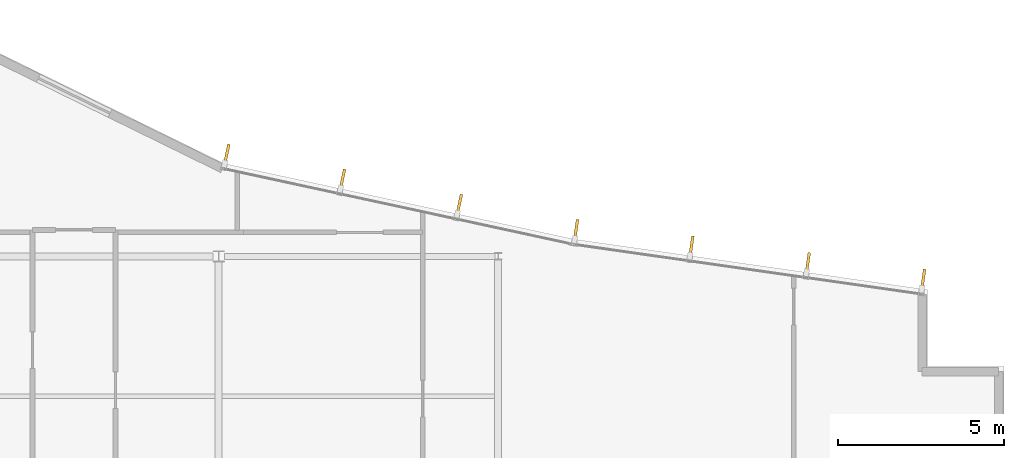
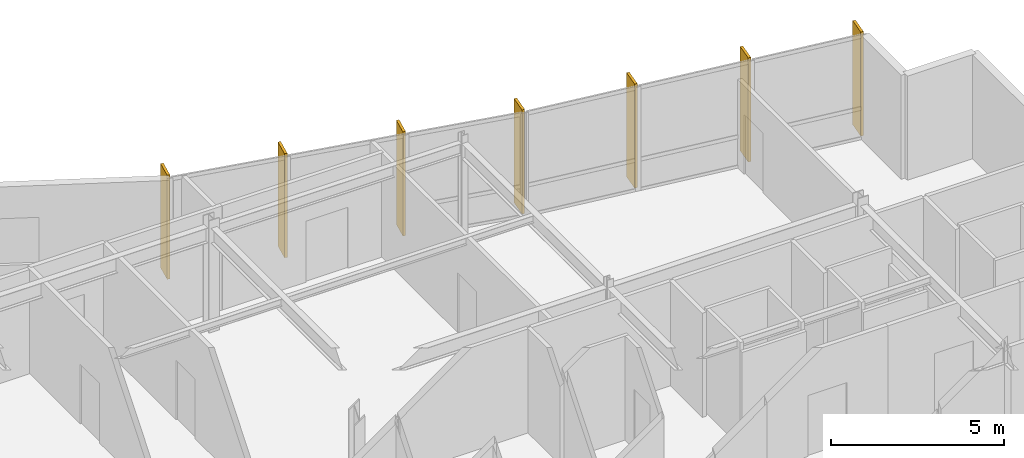
# One storey, part 14 of 15: 7 shading devices.
"""IFC4 building model written with IfcOpenShell, lengths in metres."""

from ifc_helpers import new_model, si_unit, direction, frame, origin, origin_2d, place, context, subcontext, project, spatial, rectangle, extrude, material, layer, layer_set, type_object, element, save


model = new_model("IFC4")

# Units and contexts
model_context = context("Model", 3, precision=1e-05, world=origin(), true_north=direction((0.0, 1.0)))
body_context = subcontext(model_context, "Body", "Model", "MODEL_VIEW")
ifc_project = project(units=[si_unit("LENGTHUNIT", "METRE"), si_unit("AREAUNIT", "SQUARE_METRE"), si_unit("VOLUMEUNIT", "CUBIC_METRE"), si_unit("PLANEANGLEUNIT", "RADIAN"), si_unit("MASSUNIT", "GRAM", prefix="KILO")], contexts=[model_context])

# Site, building, storey
site_placement = place(None, origin())
site = spatial("IfcSite", under=ifc_project, at=site_placement, CompositionType="ELEMENT")
building_placement = place(site_placement, origin())
building = spatial("IfcBuilding", under=site, at=building_placement, Name="Varnakote Quay Hospital", CompositionType="ELEMENT")
storey_placement = place(building_placement, frame((0.0, 0.0, 300.0)))
storey = spatial("IfcBuildingStorey", under=building, at=storey_placement, Name="L74", CompositionType="ELEMENT", Elevation=300.0)

# Shading devices
ifc_material = material(Name="Anodised aluminium 6063-T6 Bronze", Category="aluminium")
ifc_layer = layer(ifc_material, 0.0849609375)
ifc_layer_set = layer_set([ifc_layer], Name="Anodised aluminium 6063-T6 Bronze")
shading_device_type = type_object("IfcShadingDeviceType", Name="SHD-BRONZE-FIN-620", PredefinedType="USERDEFINED", material=ifc_layer_set)
for number, where, z_axis, x_axis, name in (
    (1, (37.971435546875, 28.111328125, 0.0), (0.0, 0.0, 1.0), (-0.141592364445, -0.989925048845, 0.0), "L74 Anodised Bronze Vertical Shading FIN"),
    (2, (34.5048828125, 28.607177734375, 0.0), (0.0, 0.0, 1.0), (-0.141592364445, -0.989925048845, 0.0), "L74 Anodised Bronze Vertical Shading FIN"),
    (3, (31.006103515625, 29.107421875, 0.0), (0.0, 0.0, 1.0), (-0.141592364445, -0.989925048845, 0.0), "L74 Anodised Bronze Vertical Shading FIN"),
    (4, (27.53955078125, 29.603271484375, 0.0), (0.0, 0.0, 1.0), (-0.141592364445, -0.989925048845, 0.0), "L74 Anodised Bronze Vertical Shading FIN"),
    (5, (24.029296875, 30.361328125, 0.0), (0.0, 0.0, 1.0), (-0.211324796455, -0.977415894286, 0.0), "L74 Anodised Bronze Vertical Shading FIN"),
    (6, (20.519775390625, 31.120361328125, 0.0), (0.0, 0.0, 1.0), (-0.211324796455, -0.977415894286, 0.0), "L74 Anodised Bronze Vertical Shading FIN"),
    (7, (17.0419921875, 31.872802734375, 0.0), (0.0, 0.0, 1.0), (-0.211324796455, -0.977415894286, 0.0), "L74 Anodised Bronze Vertical Shading FIN"),
):
    element("IfcShadingDevice", number, at=place(storey_placement, frame(where, z_axis=z_axis, x_axis=x_axis)), inside=storey, type_object=shading_device_type, Name=name, ObjectType="FIN", PredefinedType="USERDEFINED", context=body_context, shape_type="SweptSolid", body=[
        extrude(rectangle(XDim=0.6201171875, YDim=0.0849609375, at=origin_2d()), origin(), (0.0, 0.0, 1.0), 3.669921875),
    ])

save(model, "model.ifc")
